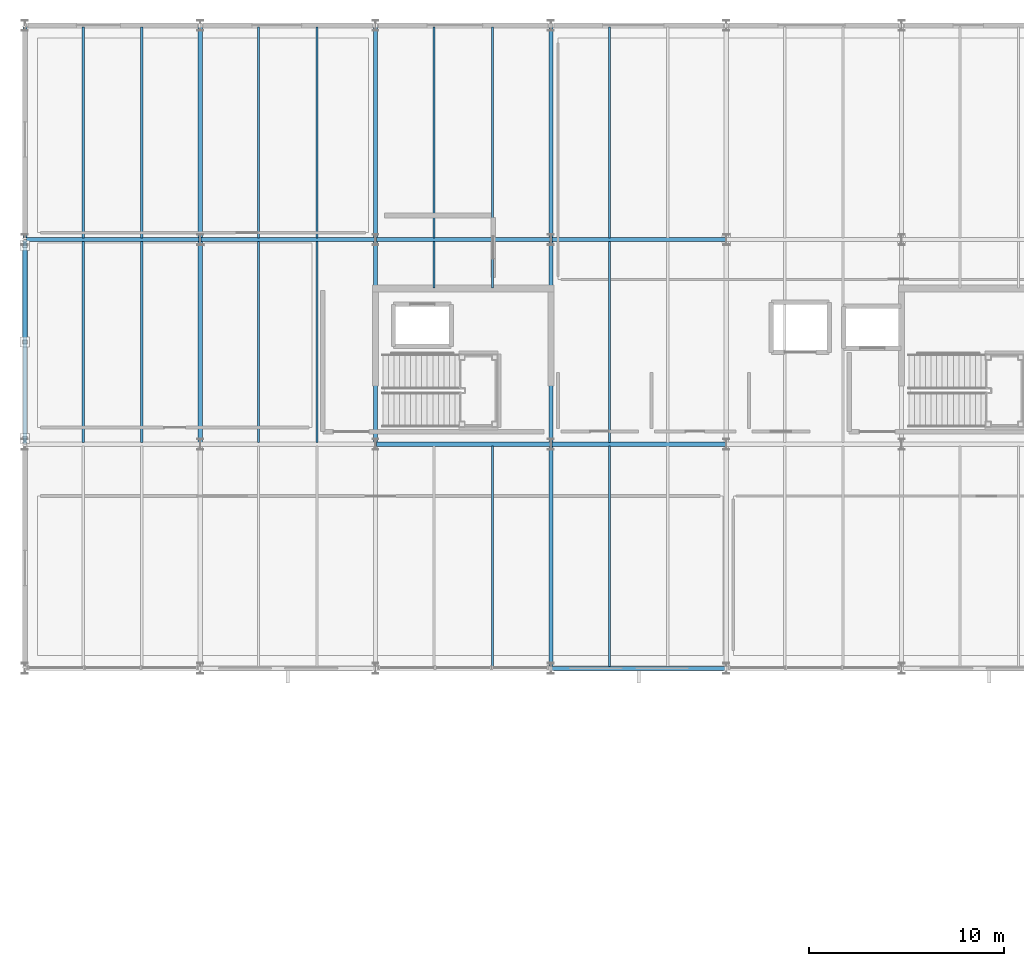
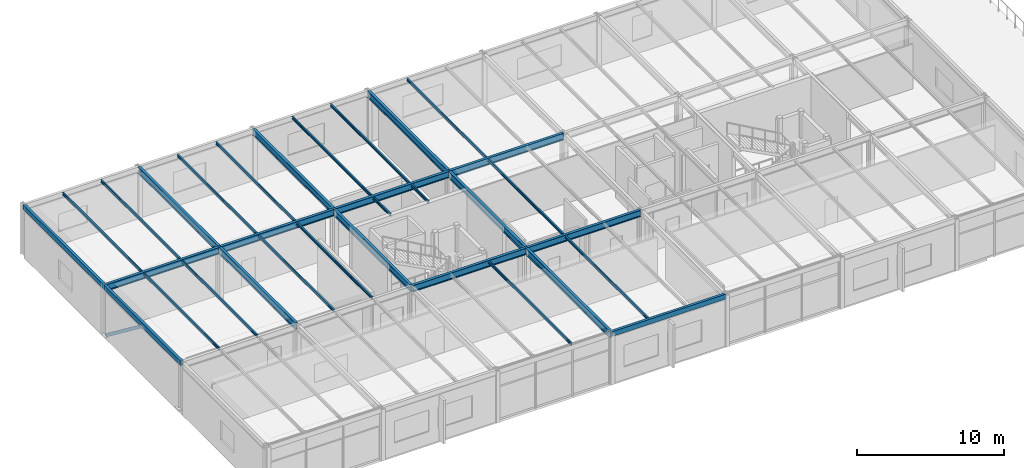
# One storey, part 9 of 44: 32 beams, 1 member.
"""IFC4 building model written with IfcOpenShell, lengths in metres."""

import ifcopenshell
import ifcopenshell.guid

model = None  # the IFC model being written
_history = None  # IfcOwnerHistory: only IFC2X3 demands one
_inside = {}  # id of a spatial element -> (the spatial element, [elements in it])
_under = {}  # id of a project, library or spatial element -> (it, [spatial elements below it])
_declared = {}  # id of a project -> (the project, [libraries it declares])
_typed = {}  # id of a type object -> (the type object, [elements of that type])
_made_of = {}  # id of a material, layer set ... -> (it, [elements and type objects made of it])


def new_model(schema):
    """Start an empty IFC model of exactly this schema.

    Asked for "IFC4X3", IfcOpenShell would pick the latest addendum, in which some entities
    have other attributes; the version numbers below select the first issue.
    IFC2X3 requires an IfcOwnerHistory on every rooted entity: one is made here for all.
    """
    global model, _history
    if schema == "IFC4X3":
        model = ifcopenshell.file(schema_version=(4, 3, 0, 0))
    else:
        model = ifcopenshell.file(schema=schema)
    _inside.clear()
    _under.clear()
    _declared.clear()
    _typed.clear()
    _made_of.clear()
    _history = None
    if model.schema == "IFC2X3":
        org = make("IfcOrganization", Name="unknown")
        user = make(
            "IfcPersonAndOrganization",
            ThePerson=make("IfcPerson", FamilyName="unknown"),
            TheOrganization=org,
        )
        app = make(
            "IfcApplication",
            ApplicationDeveloper=org,
            Version="unknown",
            ApplicationFullName="unknown",
            ApplicationIdentifier="unknown",
        )
        _history = make(
            "IfcOwnerHistory",
            OwningUser=user,
            OwningApplication=app,
            ChangeAction="ADDED",
            CreationDate=0,
        )
    return model


def make(cls, **values):
    """One entity of the class cls with the attributes given. An attribute that is None is left unset."""
    return model.create_entity(
        cls, **{name: value for name, value in values.items() if value is not None}
    )


def rooted(cls, **values):
    """An entity with a GlobalId (a new one), such as an element, a storey or a relation."""
    return make(cls, GlobalId=ifcopenshell.guid.new(), OwnerHistory=_history, **values)


def si_unit(unit_type, name, prefix=None):
    """IfcSIUnit, for example si_unit("LENGTHUNIT", "METRE", prefix="MILLI")."""
    return make("IfcSIUnit", UnitType=unit_type, Prefix=prefix, Name=name)


def assignment(units):
    """IfcUnitAssignment: the units of a project."""
    return None if units is None else make("IfcUnitAssignment", Units=units)


def point(xyz):
    """IfcCartesianPoint."""
    return None if xyz is None else make("IfcCartesianPoint", Coordinates=xyz)


def direction(xyz):
    """IfcDirection."""
    return None if xyz is None else make("IfcDirection", DirectionRatios=xyz)


def frame(location, z_axis=None, x_axis=None):
    """IfcAxis2Placement3D, a coordinate frame: its origin and axes. An axis left out is left unset."""
    return make(
        "IfcAxis2Placement3D",
        Location=point(location),
        Axis=direction(z_axis),
        RefDirection=direction(x_axis),
    )


def frame_2d(location, x_axis=None):
    """IfcAxis2Placement2D, a coordinate frame in the plane: its origin and x axis."""
    return make(
        "IfcAxis2Placement2D", Location=point(location), RefDirection=direction(x_axis)
    )


def origin():
    """The frame at (0, 0, 0) with its axes left unset."""
    return frame((0.0, 0.0, 0.0))


def origin_2d():
    """The frame at (0, 0) in the plane with its x axis left unset."""
    return frame_2d((0.0, 0.0))


def place(relative_to, where):
    """IfcLocalPlacement: puts the frame where relative to a parent placement (None: the world)."""
    return make(
        "IfcLocalPlacement", PlacementRelTo=relative_to, RelativePlacement=where
    )


def context(
    kind, dimensions, precision=None, world=None, true_north=None, identifier=None
):
    """IfcGeometricRepresentationContext, for example the 3D "Model" context."""
    return make(
        "IfcGeometricRepresentationContext",
        ContextIdentifier=identifier,
        ContextType=kind,
        CoordinateSpaceDimension=dimensions,
        Precision=precision,
        WorldCoordinateSystem=world,
        TrueNorth=true_north,
    )


def subcontext(parent, identifier, kind, view, scale=None):
    """IfcGeometricRepresentationSubContext, for example "Body" below "Model"."""
    return make(
        "IfcGeometricRepresentationSubContext",
        ContextIdentifier=identifier,
        ContextType=kind,
        ParentContext=parent,
        TargetScale=scale,
        TargetView=view,
    )


def project(units=None, contexts=None):
    """IfcProject with its units and contexts."""
    return rooted(
        "IfcProject",
        Name="project",
        RepresentationContexts=contexts,
        UnitsInContext=assignment(units),
    )


def spatial(cls, under=None, at=None, **own):
    """A site, building, storey or space (cls), placed at a placement, below another one or the project."""
    s = rooted(cls, ObjectPlacement=at, **own)
    if under is not None:
        _under.setdefault(under.id(), (under, []))[1].append(s)
    return s


def profile(cls, at=None, kind="AREA", **sizes):
    """A parametric profile (cls). Its sizes go by their IFC names, for example OverallWidth=200.0."""
    return make(cls, ProfileType=kind, Position=at, **sizes)


def hollow_rectangle(**sizes):
    """IfcRectangleHollowProfileDef."""
    return profile("IfcRectangleHollowProfileDef", **sizes)


def i_section(**sizes):
    """IfcIShapeProfileDef."""
    return profile("IfcIShapeProfileDef", **sizes)


def extrude(swept, where, along, depth):
    """IfcExtrudedAreaSolid: the profile swept, set in the frame where, extruded along a direction by depth."""
    return make(
        "IfcExtrudedAreaSolid",
        SweptArea=swept,
        Position=where,
        ExtrudedDirection=direction(along),
        Depth=depth,
    )


def shape(context_of_items, identifier, shape_type, items):
    """IfcShapeRepresentation: the items that make up one representation, for example the "Body"."""
    return make(
        "IfcShapeRepresentation",
        ContextOfItems=context_of_items,
        RepresentationIdentifier=identifier,
        RepresentationType=shape_type,
        Items=items,
    )


def material(Name=None, Category=None):
    """IfcMaterial."""
    return make("IfcMaterial", Name=Name, Category=Category)


def material_profile(
    of_material, cross_section, Name=None, Category=None, Priority=None
):
    """IfcMaterialProfile: a cross section and its material."""
    return make(
        "IfcMaterialProfile",
        Name=Name,
        Material=of_material,
        Profile=cross_section,
        Priority=Priority,
        Category=Category,
    )


def profile_set(profiles, Name=None, composite=None):
    """IfcMaterialProfileSet."""
    return make(
        "IfcMaterialProfileSet",
        Name=Name,
        MaterialProfiles=profiles,
        CompositeProfile=composite,
    )


def made_of(thing, what):
    """Note that an element or type object is made of a material, layer set ...; save() writes the relation."""
    if what is not None:
        _made_of.setdefault(what.id(), (what, []))[1].append(thing)
    return thing


def type_object(cls, material=None, **own):
    """A type object (cls), such as IfcWallType, which elements share."""
    return made_of(rooted(cls, **own), material)


def element(
    cls,
    number,
    at=None,
    inside=None,
    cuts=None,
    type_object=None,
    material=None,
    context=None,
    identifier="Body",
    shape_type=None,
    held_by="IfcProductDefinitionShape",
    body=None,
    shapes=None,
    **own,
):
    """One element of the class cls, such as IfcWall. Its Tag is "e" and its number.

    at: its placement. inside: the storey or other place that contains it. cuts: it is an
    opening in that element (IfcRelVoidsElement). A single representation is given by context,
    identifier, shape_type and body (its items); several are given by shapes. held_by: the class
    of the entity that holds the representations. save() writes the other relations.
    """
    e = rooted(cls, Tag="e%d" % number, ObjectPlacement=at, **own)
    if body is not None:
        shapes = [shape(context, identifier, shape_type, body)]
    if shapes is not None:
        e.Representation = make(held_by, Representations=shapes)
    if inside is not None:
        _inside.setdefault(inside.id(), (inside, []))[1].append(e)
    if cuts is not None:
        rooted(
            "IfcRelVoidsElement", RelatingBuildingElement=cuts, RelatedOpeningElement=e
        )
    if type_object is not None:
        _typed.setdefault(type_object.id(), (type_object, []))[1].append(e)
    return made_of(e, material)


def aggregate(whole, parts):
    """IfcRelAggregates: a whole, such as a stair, and the parts it consists of."""
    return rooted("IfcRelAggregates", RelatingObject=whole, RelatedObjects=parts)


def save(model, path):
    """Write the relations noted so far, then the file.

    IfcRelAggregates (storeys below a building ...), IfcRelContainedInSpatialStructure (elements
    in a storey), IfcRelDefinesByType, IfcRelAssociatesMaterial and IfcRelDeclares: one each for
    every whole, place, type object, material and project.
    """
    for whole, parts in _under.values():
        aggregate(whole, parts)
    for where, things in _inside.values():
        rooted(
            "IfcRelContainedInSpatialStructure",
            RelatedElements=things,
            RelatingStructure=where,
        )
    for kind, things in _typed.values():
        rooted("IfcRelDefinesByType", RelatedObjects=things, RelatingType=kind)
    for what, things in _made_of.values():
        rooted("IfcRelAssociatesMaterial", RelatedObjects=things, RelatingMaterial=what)
    for by, libraries in _declared.values():
        rooted("IfcRelDeclares", RelatingContext=by, RelatedDefinitions=libraries)
    model.write(path)


model = new_model("IFC4")

# Units and contexts
model_context = context("Model", 3, precision=1e-05, world=origin(), true_north=direction((0.0, 1.0)))
body_context = subcontext(model_context, "Body", "Model", "MODEL_VIEW")
ifc_project = project(units=[si_unit("LENGTHUNIT", "METRE"), si_unit("AREAUNIT", "SQUARE_METRE"), si_unit("VOLUMEUNIT", "CUBIC_METRE"), si_unit("PLANEANGLEUNIT", "RADIAN"), si_unit("MASSUNIT", "GRAM", prefix="KILO")], contexts=[model_context])

# Site, building, storey
site_placement = place(None, origin())
site = spatial("IfcSite", under=ifc_project, at=site_placement, CompositionType="ELEMENT")
building_placement = place(site_placement, origin())
building = spatial("IfcBuilding", under=site, at=building_placement, Name="Marlcrest Central Station", CompositionType="ELEMENT")
storey_placement = place(building_placement, frame((0.0, 0.0, 19.5)))
storey = spatial("IfcBuildingStorey", under=building, at=storey_placement, Name="L04", CompositionType="ELEMENT", Elevation=19.5)

# Member
ifc_material = material(Name="Steel S355", Category="steel")
ifc_material_profile_1 = material_profile(ifc_material, hollow_rectangle(XDim=0.25, YDim=0.25, WallThickness=0.012451171875, at=origin_2d()), Name="SHS 250x250x12.5")
ifc_profile_set_1 = profile_set([ifc_material_profile_1], Name="Steel S355")
member_type = type_object("IfcMemberType", Name="BF-02", PredefinedType="BRACE", material=ifc_profile_set_1)
member_placement = place(storey_placement, frame((0.0, 120.699951171875, 0.25), z_axis=(0.0, -0.795159753467, 0.606400005332), x_axis=(1.0, 0.0, 0.0)))
element("IfcMember", 1, at=member_placement, inside=storey, type_object=member_type, Name="mem-BF-02-L04-00010", PredefinedType="BRACE", context=body_context, shape_type="SweptSolid", body=[
    extrude(hollow_rectangle(XDim=0.25, YDim=0.25, WallThickness=0.012451171875, at=origin_2d()), origin(), (0.0, 0.0, 1.0), 6.22509765625),
])

# Beams
ifc_material_profile_2 = material_profile(ifc_material, i_section(OverallWidth=0.2099609375, OverallDepth=0.550048828125, WebThickness=0.010986328125, FlangeThickness=0.01708984375, FilletRadius=0.02392578125, at=origin_2d()), Name="IPE 550")
ifc_profile_set_2 = profile_set([ifc_material_profile_2], Name="Steel S355")
beam_type_1 = type_object("IfcBeamType", Name="BM-06", PredefinedType="BEAM", material=ifc_profile_set_2)
for number, where, z_axis, x_axis, name in (
    (2, (18.050048828125, 110.5, 4.0), (1.0, 0.0, 0.0), (0.0, 1.0, 0.0), "bm-BM-06-L04-00584"),
    (3, (27.050048828125, 110.5, 4.0), (1.0, 0.0, 0.0), (0.0, 1.0, 0.0), "bm-BM-06-L04-00585"),
    (4, (0.050048828125, 121.0, 4.0), (1.0, 0.0, 0.0), (0.0, 1.0, 0.0), "bm-BM-06-L04-00589"),
    (5, (9.050048828125, 121.0, 4.0), (1.0, 0.0, 0.0), (0.0, 1.0, 0.0), "bm-BM-06-L04-00590"),
    (6, (18.050048828125, 121.0, 4.0), (1.0, 0.0, 0.0), (0.0, 1.0, 0.0), "bm-BM-06-L04-00591"),
    (7, (27.050048828125, 121.0, 4.0), (1.0, 0.0, 0.0), (0.0, 1.0, 0.0), "bm-BM-06-L04-00592"),
):
    element("IfcBeam", number, at=place(storey_placement, frame(where, z_axis=z_axis, x_axis=x_axis)), inside=storey, type_object=beam_type_1, Name=name, PredefinedType="BEAM", context=body_context, shape_type="SweptSolid", body=[
        extrude(i_section(OverallWidth=0.2099609375, OverallDepth=0.550048828125, WebThickness=0.010986328125, FlangeThickness=0.01708984375, FilletRadius=0.02392578125, at=origin_2d()), origin(), (0.0, 0.0, 1.0), 8.89990234375),
    ])
beam_1_placement = place(storey_placement, frame((9.0, 110.550048828125, 4.0), z_axis=(0.0, 1.0, 0.0), x_axis=(-1.0, 0.0, 0.0)))
element("IfcBeam", 8, at=beam_1_placement, inside=storey, type_object=beam_type_1, Name="bm-BM-06-L04-00607", PredefinedType="BEAM", context=body_context, shape_type="SweptSolid", body=[
    extrude(i_section(OverallWidth=0.2099609375, OverallDepth=0.550048828125, WebThickness=0.010986328125, FlangeThickness=0.01708984375, FilletRadius=0.02392578125, at=origin_2d()), origin(), (0.0, 0.0, 1.0), 10.39990234375),
])
beam_2_placement = place(storey_placement, frame((9.0, 121.050048828125, 4.0), z_axis=(0.0, 1.0, 0.0), x_axis=(-1.0, 0.0, 0.0)))
element("IfcBeam", 9, at=beam_2_placement, inside=storey, type_object=beam_type_1, Name="bm-BM-06-L04-00608", PredefinedType="BEAM", context=body_context, shape_type="SweptSolid", body=[
    extrude(i_section(OverallWidth=0.2099609375, OverallDepth=0.550048828125, WebThickness=0.010986328125, FlangeThickness=0.01708984375, FilletRadius=0.02392578125, at=origin_2d()), origin(), (0.0, 0.0, 1.0), 10.89990234375),
])
beam_3_placement = place(storey_placement, frame((18.0, 110.550048828125, 4.0), z_axis=(0.0, 1.0, 0.0), x_axis=(-1.0, 0.0, 0.0)))
element("IfcBeam", 10, at=beam_3_placement, inside=storey, type_object=beam_type_1, Name="bm-BM-06-L04-00610", PredefinedType="BEAM", context=body_context, shape_type="SweptSolid", body=[
    extrude(i_section(OverallWidth=0.2099609375, OverallDepth=0.550048828125, WebThickness=0.010986328125, FlangeThickness=0.01708984375, FilletRadius=0.02392578125, at=origin_2d()), origin(), (0.0, 0.0, 1.0), 10.39990234375),
])
beam_4_placement = place(storey_placement, frame((18.0, 121.050048828125, 4.0), z_axis=(0.0, 1.0, 0.0), x_axis=(-1.0, 0.0, 0.0)))
element("IfcBeam", 11, at=beam_4_placement, inside=storey, type_object=beam_type_1, Name="bm-BM-06-L04-00611", PredefinedType="BEAM", context=body_context, shape_type="SweptSolid", body=[
    extrude(i_section(OverallWidth=0.2099609375, OverallDepth=0.550048828125, WebThickness=0.010986328125, FlangeThickness=0.01708984375, FilletRadius=0.02392578125, at=origin_2d()), origin(), (0.0, 0.0, 1.0), 10.89990234375),
])
beam_5_placement = place(storey_placement, frame((27.0, 99.050048828125, 4.0), z_axis=(0.0, 1.0, 0.0), x_axis=(-1.0, 0.0, 0.0)))
element("IfcBeam", 12, at=beam_5_placement, inside=storey, type_object=beam_type_1, Name="bm-BM-06-L04-00612", PredefinedType="BEAM", context=body_context, shape_type="SweptSolid", body=[
    extrude(i_section(OverallWidth=0.2099609375, OverallDepth=0.550048828125, WebThickness=0.010986328125, FlangeThickness=0.01708984375, FilletRadius=0.02392578125, at=origin_2d()), origin(), (0.0, 0.0, 1.0), 11.39990234375),
])
beam_6_placement = place(storey_placement, frame((27.0, 110.550048828125, 4.0), z_axis=(0.0, 1.0, 0.0), x_axis=(-1.0, 0.0, 0.0)))
element("IfcBeam", 13, at=beam_6_placement, inside=storey, type_object=beam_type_1, Name="bm-BM-06-L04-00613", PredefinedType="BEAM", context=body_context, shape_type="SweptSolid", body=[
    extrude(i_section(OverallWidth=0.2099609375, OverallDepth=0.550048828125, WebThickness=0.010986328125, FlangeThickness=0.01708984375, FilletRadius=0.02392578125, at=origin_2d()), origin(), (0.0, 0.0, 1.0), 10.39990234375),
])
beam_7_placement = place(storey_placement, frame((27.0, 121.050048828125, 4.0), z_axis=(0.0, 1.0, 0.0), x_axis=(-1.0, 0.0, 0.0)))
element("IfcBeam", 14, at=beam_7_placement, inside=storey, type_object=beam_type_1, Name="bm-BM-06-L04-00614", PredefinedType="BEAM", context=body_context, shape_type="SweptSolid", body=[
    extrude(i_section(OverallWidth=0.2099609375, OverallDepth=0.550048828125, WebThickness=0.010986328125, FlangeThickness=0.01708984375, FilletRadius=0.02392578125, at=origin_2d()), origin(), (0.0, 0.0, 1.0), 10.89990234375),
])
ifc_material_profile_3 = material_profile(ifc_material, i_section(OverallWidth=0.110107421875, OverallDepth=0.219970703125, WebThickness=0.005859375, FlangeThickness=0.00927734375, FilletRadius=0.011962890625, at=origin_2d()), Name="IPE 220")
ifc_profile_set_3 = profile_set([ifc_material_profile_3], Name="Steel S355")
beam_type_2 = type_object("IfcBeamType", Name="JS-02", PredefinedType="JOIST", material=ifc_profile_set_3)
beam_8_placement = place(storey_placement, frame((3.0, 110.594970703125, 4.1650390625), z_axis=(0.0, 1.0, 0.0), x_axis=(-1.0, 0.0, 0.0)))
element("IfcBeam", 15, at=beam_8_placement, inside=storey, type_object=beam_type_2, Name="bm-JS-02-L04-00628", PredefinedType="JOIST", context=body_context, shape_type="SweptSolid", body=[
    extrude(i_section(OverallWidth=0.110107421875, OverallDepth=0.219970703125, WebThickness=0.005859375, FlangeThickness=0.00927734375, FilletRadius=0.011962890625, at=origin_2d()), origin(), (0.0, 0.0, 1.0), 10.31005859375),
])
beam_9_placement = place(storey_placement, frame((3.0, 121.094970703125, 4.1650390625), z_axis=(0.0, 1.0, 0.0), x_axis=(-1.0, 0.0, 0.0)))
element("IfcBeam", 16, at=beam_9_placement, inside=storey, type_object=beam_type_2, Name="bm-JS-02-L04-00629", PredefinedType="JOIST", context=body_context, shape_type="SweptSolid", body=[
    extrude(i_section(OverallWidth=0.110107421875, OverallDepth=0.219970703125, WebThickness=0.005859375, FlangeThickness=0.00927734375, FilletRadius=0.011962890625, at=origin_2d()), origin(), (0.0, 0.0, 1.0), 10.81005859375),
])
beam_10_placement = place(storey_placement, frame((6.0, 110.594970703125, 4.1650390625), z_axis=(0.0, 1.0, 0.0), x_axis=(-1.0, 0.0, 0.0)))
element("IfcBeam", 17, at=beam_10_placement, inside=storey, type_object=beam_type_2, Name="bm-JS-02-L04-00631", PredefinedType="JOIST", context=body_context, shape_type="SweptSolid", body=[
    extrude(i_section(OverallWidth=0.110107421875, OverallDepth=0.219970703125, WebThickness=0.005859375, FlangeThickness=0.00927734375, FilletRadius=0.011962890625, at=origin_2d()), origin(), (0.0, 0.0, 1.0), 10.31005859375),
])
beam_11_placement = place(storey_placement, frame((6.0, 121.094970703125, 4.1650390625), z_axis=(0.0, 1.0, 0.0), x_axis=(-1.0, 0.0, 0.0)))
element("IfcBeam", 18, at=beam_11_placement, inside=storey, type_object=beam_type_2, Name="bm-JS-02-L04-00632", PredefinedType="JOIST", context=body_context, shape_type="SweptSolid", body=[
    extrude(i_section(OverallWidth=0.110107421875, OverallDepth=0.219970703125, WebThickness=0.005859375, FlangeThickness=0.00927734375, FilletRadius=0.011962890625, at=origin_2d()), origin(), (0.0, 0.0, 1.0), 10.81005859375),
])
beam_12_placement = place(storey_placement, frame((12.0, 110.594970703125, 4.1650390625), z_axis=(0.0, 1.0, 0.0), x_axis=(-1.0, 0.0, 0.0)))
element("IfcBeam", 19, at=beam_12_placement, inside=storey, type_object=beam_type_2, Name="bm-JS-02-L04-00634", PredefinedType="JOIST", context=body_context, shape_type="SweptSolid", body=[
    extrude(i_section(OverallWidth=0.110107421875, OverallDepth=0.219970703125, WebThickness=0.005859375, FlangeThickness=0.00927734375, FilletRadius=0.011962890625, at=origin_2d()), origin(), (0.0, 0.0, 1.0), 10.31005859375),
])
beam_13_placement = place(storey_placement, frame((12.0, 121.094970703125, 4.1650390625), z_axis=(0.0, 1.0, 0.0), x_axis=(-1.0, 0.0, 0.0)))
element("IfcBeam", 20, at=beam_13_placement, inside=storey, type_object=beam_type_2, Name="bm-JS-02-L04-00635", PredefinedType="JOIST", context=body_context, shape_type="SweptSolid", body=[
    extrude(i_section(OverallWidth=0.110107421875, OverallDepth=0.219970703125, WebThickness=0.005859375, FlangeThickness=0.00927734375, FilletRadius=0.011962890625, at=origin_2d()), origin(), (0.0, 0.0, 1.0), 10.81005859375),
])
beam_14_placement = place(storey_placement, frame((15.0, 110.594970703125, 4.1650390625), z_axis=(0.0, 1.0, 0.0), x_axis=(-1.0, 0.0, 0.0)))
element("IfcBeam", 21, at=beam_14_placement, inside=storey, type_object=beam_type_2, Name="bm-JS-02-L04-00637", PredefinedType="JOIST", context=body_context, shape_type="SweptSolid", body=[
    extrude(i_section(OverallWidth=0.110107421875, OverallDepth=0.219970703125, WebThickness=0.005859375, FlangeThickness=0.00927734375, FilletRadius=0.011962890625, at=origin_2d()), origin(), (0.0, 0.0, 1.0), 10.31005859375),
])
beam_15_placement = place(storey_placement, frame((15.0, 121.094970703125, 4.1650390625), z_axis=(0.0, 1.0, 0.0), x_axis=(-1.0, 0.0, 0.0)))
element("IfcBeam", 22, at=beam_15_placement, inside=storey, type_object=beam_type_2, Name="bm-JS-02-L04-00638", PredefinedType="JOIST", context=body_context, shape_type="SweptSolid", body=[
    extrude(i_section(OverallWidth=0.110107421875, OverallDepth=0.219970703125, WebThickness=0.005859375, FlangeThickness=0.00927734375, FilletRadius=0.011962890625, at=origin_2d()), origin(), (0.0, 0.0, 1.0), 10.81005859375),
])
beam_16_placement = place(storey_placement, frame((21.0, 118.52001953125, 4.1650390625), z_axis=(0.0, 1.0, 0.0), x_axis=(-1.0, 0.0, 0.0)))
element("IfcBeam", 23, at=beam_16_placement, inside=storey, type_object=beam_type_2, Name="bm-JS-02-L04-00640", PredefinedType="JOIST", context=body_context, shape_type="SweptSolid", body=[
    extrude(i_section(OverallWidth=0.110107421875, OverallDepth=0.219970703125, WebThickness=0.005859375, FlangeThickness=0.00927734375, FilletRadius=0.011962890625, at=origin_2d()), origin(), (0.0, 0.0, 1.0), 2.385009765625),
])
beam_17_placement = place(storey_placement, frame((21.0, 121.094970703125, 4.1650390625), z_axis=(0.0, 1.0, 0.0), x_axis=(-1.0, 0.0, 0.0)))
element("IfcBeam", 24, at=beam_17_placement, inside=storey, type_object=beam_type_2, Name="bm-JS-02-L04-00641", PredefinedType="JOIST", context=body_context, shape_type="SweptSolid", body=[
    extrude(i_section(OverallWidth=0.110107421875, OverallDepth=0.219970703125, WebThickness=0.005859375, FlangeThickness=0.00927734375, FilletRadius=0.011962890625, at=origin_2d()), origin(), (0.0, 0.0, 1.0), 10.81005859375),
])
beam_18_placement = place(storey_placement, frame((24.0, 99.094970703125, 4.1650390625), z_axis=(0.0, 1.0, 0.0), x_axis=(-1.0, 0.0, 0.0)))
element("IfcBeam", 25, at=beam_18_placement, inside=storey, type_object=beam_type_2, Name="bm-JS-02-L04-00642", PredefinedType="JOIST", context=body_context, shape_type="SweptSolid", body=[
    extrude(i_section(OverallWidth=0.110107421875, OverallDepth=0.219970703125, WebThickness=0.005859375, FlangeThickness=0.00927734375, FilletRadius=0.011962890625, at=origin_2d()), origin(), (0.0, 0.0, 1.0), 11.31005859375),
])
beam_19_placement = place(storey_placement, frame((24.0, 118.52001953125, 4.1650390625), z_axis=(0.0, 1.0, 0.0), x_axis=(-1.0, 0.0, 0.0)))
element("IfcBeam", 26, at=beam_19_placement, inside=storey, type_object=beam_type_2, Name="bm-JS-02-L04-00643", PredefinedType="JOIST", context=body_context, shape_type="SweptSolid", body=[
    extrude(i_section(OverallWidth=0.110107421875, OverallDepth=0.219970703125, WebThickness=0.005859375, FlangeThickness=0.00927734375, FilletRadius=0.011962890625, at=origin_2d()), origin(), (0.0, 0.0, 1.0), 2.385009765625),
])
beam_20_placement = place(storey_placement, frame((24.0, 121.094970703125, 4.1650390625), z_axis=(0.0, 1.0, 0.0), x_axis=(-1.0, 0.0, 0.0)))
element("IfcBeam", 27, at=beam_20_placement, inside=storey, type_object=beam_type_2, Name="bm-JS-02-L04-00644", PredefinedType="JOIST", context=body_context, shape_type="SweptSolid", body=[
    extrude(i_section(OverallWidth=0.110107421875, OverallDepth=0.219970703125, WebThickness=0.005859375, FlangeThickness=0.00927734375, FilletRadius=0.011962890625, at=origin_2d()), origin(), (0.0, 0.0, 1.0), 10.81005859375),
])
beam_21_placement = place(storey_placement, frame((30.0, 99.094970703125, 4.1650390625), z_axis=(0.0, 1.0, 0.0), x_axis=(-1.0, 0.0, 0.0)))
element("IfcBeam", 28, at=beam_21_placement, inside=storey, type_object=beam_type_2, Name="bm-JS-02-L04-00645", PredefinedType="JOIST", context=body_context, shape_type="SweptSolid", body=[
    extrude(i_section(OverallWidth=0.110107421875, OverallDepth=0.219970703125, WebThickness=0.005859375, FlangeThickness=0.00927734375, FilletRadius=0.011962890625, at=origin_2d()), origin(), (0.0, 0.0, 1.0), 11.31005859375),
])
beam_22_placement = place(storey_placement, frame((30.0, 110.594970703125, 4.1650390625), z_axis=(0.0, 1.0, 0.0), x_axis=(-1.0, 0.0, 0.0)))
element("IfcBeam", 29, at=beam_22_placement, inside=storey, type_object=beam_type_2, Name="bm-JS-02-L04-00646", PredefinedType="JOIST", context=body_context, shape_type="SweptSolid", body=[
    extrude(i_section(OverallWidth=0.110107421875, OverallDepth=0.219970703125, WebThickness=0.005859375, FlangeThickness=0.00927734375, FilletRadius=0.011962890625, at=origin_2d()), origin(), (0.0, 0.0, 1.0), 10.31005859375),
])
beam_23_placement = place(storey_placement, frame((30.0, 121.094970703125, 4.1650390625), z_axis=(0.0, 1.0, 0.0), x_axis=(-1.0, 0.0, 0.0)))
element("IfcBeam", 30, at=beam_23_placement, inside=storey, type_object=beam_type_2, Name="bm-JS-02-L04-00647", PredefinedType="JOIST", context=body_context, shape_type="SweptSolid", body=[
    extrude(i_section(OverallWidth=0.110107421875, OverallDepth=0.219970703125, WebThickness=0.005859375, FlangeThickness=0.00927734375, FilletRadius=0.011962890625, at=origin_2d()), origin(), (0.0, 0.0, 1.0), 10.81005859375),
])
ifc_material_profile_4 = material_profile(ifc_material, hollow_rectangle(XDim=0.199951171875, YDim=0.39990234375, WallThickness=0.01611328125, at=origin_2d()), Name="RHS 400x200x16")
ifc_profile_set_4 = profile_set([ifc_material_profile_4], Name="Steel S355")
beam_type_3 = type_object("IfcBeamType", Name="SP-01", PredefinedType="SPANDREL", material=ifc_profile_set_4)
beam_24_placement = place(storey_placement, frame((27.050048828125, 99.0, 4.074951171875), z_axis=(1.0, 0.0, 0.0), x_axis=(0.0, 1.0, 0.0)))
element("IfcBeam", 31, at=beam_24_placement, inside=storey, type_object=beam_type_3, Name="bm-SP-01-L04-00578", PredefinedType="SPANDREL", context=body_context, shape_type="SweptSolid", body=[
    extrude(hollow_rectangle(XDim=0.199951171875, YDim=0.39990234375, WallThickness=0.01611328125, at=origin_2d()), origin(), (0.0, 0.0, 1.0), 8.89990234375),
])
beam_25_placement = place(storey_placement, frame((0.0, 110.550048828125, 4.074951171875), z_axis=(0.0, 1.0, 0.0), x_axis=(-1.0, 0.0, 0.0)))
element("IfcBeam", 32, at=beam_25_placement, inside=storey, type_object=beam_type_3, Name="bm-SP-01-L04-00604", PredefinedType="SPANDREL", context=body_context, shape_type="SweptSolid", body=[
    extrude(hollow_rectangle(XDim=0.199951171875, YDim=0.39990234375, WallThickness=0.01611328125, at=origin_2d()), origin(), (0.0, 0.0, 1.0), 10.39990234375),
])
beam_26_placement = place(storey_placement, frame((0.0, 121.050048828125, 4.074951171875), z_axis=(0.0, 1.0, 0.0), x_axis=(-1.0, 0.0, 0.0)))
element("IfcBeam", 33, at=beam_26_placement, inside=storey, type_object=beam_type_3, Name="bm-SP-01-L04-00605", PredefinedType="SPANDREL", context=body_context, shape_type="SweptSolid", body=[
    extrude(hollow_rectangle(XDim=0.199951171875, YDim=0.39990234375, WallThickness=0.01611328125, at=origin_2d()), origin(), (0.0, 0.0, 1.0), 10.89990234375),
])

save(model, "model.ifc")
